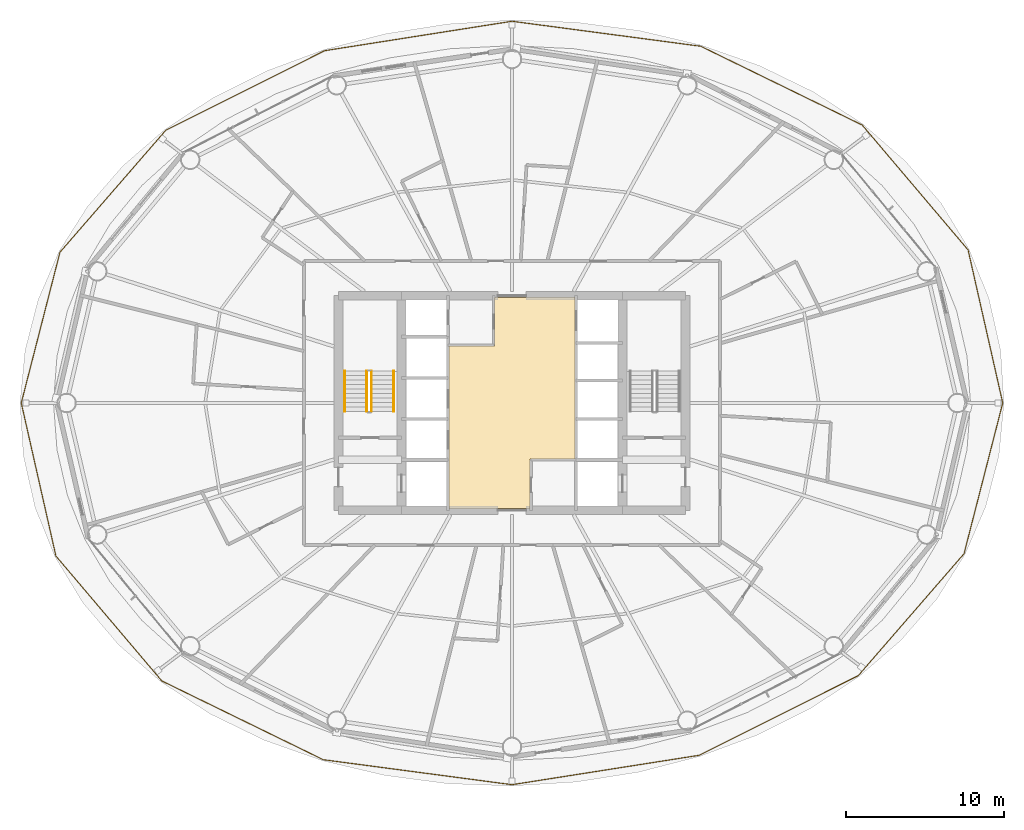
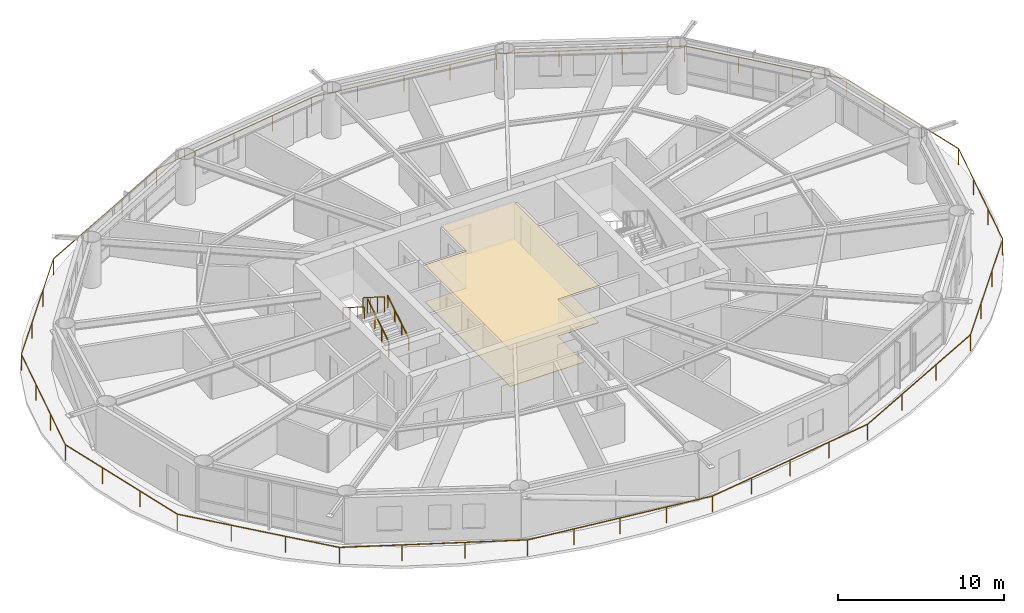
# One storey, part 23 of 24: 5 railings, 2 coverings.
"""IFC4 building model written with IfcOpenShell, lengths in metres."""

from ifc_helpers import new_model, si_unit, direction, frame, origin, origin_2d, place, context, subcontext, project, spatial, polyline, rectangle, outline, extrude, material, layer, layer_set, type_object, element, save


model = new_model("IFC4")

# Units and contexts
model_context = context("Model", 3, precision=1e-05, world=origin(), true_north=direction((0.0, 1.0)))
body_context = subcontext(model_context, "Body", "Model", "MODEL_VIEW")
ifc_project = project(units=[si_unit("LENGTHUNIT", "METRE"), si_unit("AREAUNIT", "SQUARE_METRE"), si_unit("VOLUMEUNIT", "CUBIC_METRE"), si_unit("PLANEANGLEUNIT", "RADIAN"), si_unit("MASSUNIT", "GRAM", prefix="KILO")], contexts=[model_context])

# Site, building, storey
site_placement = place(None, origin())
site = spatial("IfcSite", under=ifc_project, at=site_placement, CompositionType="ELEMENT")
building_placement = place(site_placement, origin())
building = spatial("IfcBuilding", under=site, at=building_placement, Name="Sarneth Arch Tower", CompositionType="ELEMENT")
storey_placement = place(building_placement, frame((0.0, 0.0, 102.0)))
storey = spatial("IfcBuildingStorey", under=building, at=storey_placement, Name="L25", CompositionType="ELEMENT", Elevation=102.0)

# Coverings
ifc_material_1 = material(Name="Perforated acoustic gypsum ceiling board")
ifc_layer_1 = layer(ifc_material_1, 0.02490234375)
ifc_layer_set_1 = layer_set([ifc_layer_1], Name="Perforated acoustic gypsum ceiling board")
covering_type_1 = type_object("IfcCoveringType", Name="COV-CEIL-GYP", PredefinedType="CEILING", material=ifc_layer_set_1)
covering_1_placement = place(storey_placement, frame((0.0, 0.0, 2.7099609375)))
element("IfcCovering", 1, at=covering_1_placement, inside=storey, type_object=covering_type_1, Name="L25 Lift lobby acoustic ceiling", PredefinedType="CEILING", context=body_context, shape_type="SweptSolid", body=[
    extrude(outline(polyline([(49.14990234375, 38.449951171875), (49.14990234375, 35.300048828125), (44.0, 35.300048828125), (44.0, 45.60009765625), (46.89990234375, 45.60009765625), (46.89990234375, 48.699951171875), (52.0, 48.699951171875), (52.0, 38.449951171875), (49.14990234375, 38.449951171875)])), origin(), (0.0, 0.0, 1.0), 0.030029296875),
])
ifc_material_2 = material(Name="Honed granite stone flooring", Category="masonry")
ifc_layer_2 = layer(ifc_material_2, 0.030029296875)
ifc_layer_set_2 = layer_set([ifc_layer_2], Name="Honed granite stone flooring")
covering_type_2 = type_object("IfcCoveringType", Name="COV-FLR-STONE", PredefinedType="FLOORING", material=ifc_layer_set_2)
covering_2_placement = place(storey_placement, origin())
element("IfcCovering", 2, at=covering_2_placement, inside=storey, type_object=covering_type_2, Name="L25 Lift lobby granite flooring", PredefinedType="FLOORING", context=body_context, shape_type="SweptSolid", body=[
    extrude(outline(polyline([(49.14990234375, 38.449951171875), (49.14990234375, 35.300048828125), (44.0, 35.300048828125), (44.0, 45.60009765625), (46.89990234375, 45.60009765625), (46.89990234375, 48.699951171875), (52.0, 48.699951171875), (52.0, 38.449951171875), (49.14990234375, 38.449951171875)])), origin(), (0.0, 0.0, 1.0), 0.030029296875),
])

# Railings
ifc_material_3 = material(Name="Laminated structural glass infill with Stainless Steel 316 top rail and posts", Category="steel")
railing_type_1 = type_object("IfcRailingType", Name="RAIL-BALC-1200", PredefinedType="BALUSTRADE", material=ifc_material_3)
railing_1_placement = place(storey_placement, frame((79.106689453125, 42.0, 0.0)))
element("IfcRailing", 3, at=railing_1_placement, inside=storey, type_object=railing_type_1, Name="L25 Helical balcony glass balustrade", PredefinedType="BALUSTRADE", context=body_context, shape_type="SweptSolid", body=[
    extrude(rectangle(XDim=0.048095703125, YDim=0.048095703125, at=origin_2d()), frame((0.0, 0.0, 1.17578125), z_axis=(-0.220798778177, 0.975319383359, 0.0), x_axis=(-0.975319383359, -0.220798778177, 0.0)), (0.0, 0.0, 1.0), 9.94580078125),
    extrude(rectangle(XDim=0.048095703125, YDim=0.048095703125, at=origin_2d()), frame((-2.196044921875, 9.700439453125, 1.17578125), z_axis=(-0.646640028894, 0.762795302182, 0.0), x_axis=(-0.762795302182, -0.646640028894, 0.0)), (0.0, 0.0, 1.0), 10.37890625),
    extrude(rectangle(XDim=0.048095703125, YDim=0.048095703125, at=origin_2d()), frame((-8.907470703125, 17.617431640625, 1.17578125), z_axis=(-0.898719817102, 0.438523306506, 0.0), x_axis=(-0.438523306506, -0.898719817102, 0.0)), (0.0, 0.0, 1.0), 11.388427734375),
    extrude(rectangle(XDim=0.048095703125, YDim=0.048095703125, at=origin_2d()), frame((-19.142578125, 22.611572265625, 1.17578125), z_axis=(-0.991344121309, 0.131289120443, 0.0), x_axis=(-0.131289120443, -0.991344121309, 0.0)), (0.0, 0.0, 1.0), 12.068603515625),
    extrude(rectangle(XDim=0.048095703125, YDim=0.048095703125, at=origin_2d()), frame((-31.106689453125, 24.196044921875, 1.17578125), z_axis=(-0.987873209701, -0.155262750055, 0.0), x_axis=(0.155262750055, -0.987873209701, 0.0)), (0.0, 0.0, 1.0), 12.021240234375),
    extrude(rectangle(XDim=0.048095703125, YDim=0.048095703125, at=origin_2d()), frame((-42.982177734375, 22.32958984375, 1.17578125), z_axis=(-0.894075847013, -0.447915594491, 0.0), x_axis=(0.447915594491, -0.894075847013, 0.0)), (0.0, 0.0, 1.0), 11.265869140625),
    extrude(rectangle(XDim=0.048095703125, YDim=0.048095703125, at=origin_2d()), frame((-53.0546875, 17.283447265625, 1.17578125), z_axis=(-0.655366531654, -0.755311001633, 0.0), x_axis=(0.755311001633, -0.655366531654, 0.0)), (0.0, 0.0, 1.0), 10.230224609375),
    extrude(rectangle(XDim=0.048095703125, YDim=0.048095703125, at=origin_2d()), frame((-59.75927734375, 9.556396484375, 1.17578125), z_axis=(-0.248731342356, -0.968572516299, 0.0), x_axis=(0.968572516299, -0.248731342356, 0.0)), (0.0, 0.0, 1.0), 9.866455078125),
    extrude(rectangle(XDim=0.048095703125, YDim=0.048095703125, at=origin_2d()), frame((-62.21337890625, 0.0, 1.17578125), z_axis=(0.220798778177, -0.975319383359, 0.0), x_axis=(0.975319383359, 0.220798778177, 0.0)), (0.0, 0.0, 1.0), 9.94580078125),
    extrude(rectangle(XDim=0.048095703125, YDim=0.048095703125, at=origin_2d()), frame((-60.017333984375, -9.700439453125, 1.17578125), z_axis=(0.646640028894, -0.762795302182, 0.0), x_axis=(0.762795302182, 0.646640028894, 0.0)), (0.0, 0.0, 1.0), 10.37890625),
    extrude(rectangle(XDim=0.048095703125, YDim=0.048095703125, at=origin_2d()), frame((-53.305908203125, -17.617431640625, 1.17578125), z_axis=(0.898719817102, -0.438523306506, 0.0), x_axis=(0.438523306506, 0.898719817102, 0.0)), (0.0, 0.0, 1.0), 11.388427734375),
    extrude(rectangle(XDim=0.048095703125, YDim=0.048095703125, at=origin_2d()), frame((-43.07080078125, -22.611572265625, 1.17578125), z_axis=(0.991344121309, -0.131289120443, 0.0), x_axis=(0.131289120443, 0.991344121309, 0.0)), (0.0, 0.0, 1.0), 12.068603515625),
    extrude(rectangle(XDim=0.048095703125, YDim=0.048095703125, at=origin_2d()), frame((-31.106689453125, -24.196044921875, 1.17578125), z_axis=(0.987873209701, 0.155262750055, 0.0), x_axis=(-0.155262750055, 0.987873209701, 0.0)), (0.0, 0.0, 1.0), 12.021240234375),
    extrude(rectangle(XDim=0.048095703125, YDim=0.048095703125, at=origin_2d()), frame((-19.231201171875, -22.32958984375, 1.17578125), z_axis=(0.894075847013, 0.447915594491, 0.0), x_axis=(-0.447915594491, 0.894075847013, 0.0)), (0.0, 0.0, 1.0), 11.265869140625),
    extrude(rectangle(XDim=0.048095703125, YDim=0.048095703125, at=origin_2d()), frame((-9.15869140625, -17.283447265625, 1.17578125), z_axis=(0.655366531654, 0.755311001633, 0.0), x_axis=(-0.755311001633, 0.655366531654, 0.0)), (0.0, 0.0, 1.0), 10.230224609375),
    extrude(rectangle(XDim=0.048095703125, YDim=0.048095703125, at=origin_2d()), frame((-2.4541015625, -9.556396484375, 1.17578125), z_axis=(0.248731342356, 0.968572516299, 0.0), x_axis=(-0.968572516299, 0.248731342356, 0.0)), (0.0, 0.0, 1.0), 9.866455078125),
    extrude(rectangle(XDim=0.0419921875, YDim=0.0419921875, at=origin_2d()), origin(), (0.0, 0.0, 1.0), 1.15185546875),
    extrude(rectangle(XDim=0.0419921875, YDim=0.0419921875, at=origin_2d()), frame((-0.73193359375, 3.2333984375, 0.0)), (0.0, 0.0, 1.0), 1.15185546875),
    extrude(rectangle(XDim=0.0419921875, YDim=0.0419921875, at=origin_2d()), frame((-1.464111328125, 6.467041015625, 0.0)), (0.0, 0.0, 1.0), 1.15185546875),
    extrude(rectangle(XDim=0.0419921875, YDim=0.0419921875, at=origin_2d()), frame((-2.196044921875, 9.700439453125, 0.0)), (0.0, 0.0, 1.0), 1.15185546875),
    extrude(rectangle(XDim=0.0419921875, YDim=0.0419921875, at=origin_2d()), frame((-4.43310546875, 12.33935546875, 0.0)), (0.0, 0.0, 1.0), 1.15185546875),
    extrude(rectangle(XDim=0.0419921875, YDim=0.0419921875, at=origin_2d()), frame((-6.67041015625, 14.978515625, 0.0)), (0.0, 0.0, 1.0), 1.15185546875),
    extrude(rectangle(XDim=0.0419921875, YDim=0.0419921875, at=origin_2d()), frame((-8.907470703125, 17.617431640625, 0.0)), (0.0, 0.0, 1.0), 1.15185546875),
    extrude(rectangle(XDim=0.0419921875, YDim=0.0419921875, at=origin_2d()), frame((-12.319091796875, 19.2822265625, 0.0)), (0.0, 0.0, 1.0), 1.15185546875),
    extrude(rectangle(XDim=0.0419921875, YDim=0.0419921875, at=origin_2d()), frame((-15.73095703125, 20.94677734375, 0.0)), (0.0, 0.0, 1.0), 1.15185546875),
    extrude(rectangle(XDim=0.0419921875, YDim=0.0419921875, at=origin_2d()), frame((-19.142578125, 22.611572265625, 0.0)), (0.0, 0.0, 1.0), 1.15185546875),
    extrude(rectangle(XDim=0.0419921875, YDim=0.0419921875, at=origin_2d()), frame((-22.133544921875, 23.0078125, 0.0)), (0.0, 0.0, 1.0), 1.15185546875),
    extrude(rectangle(XDim=0.0419921875, YDim=0.0419921875, at=origin_2d()), frame((-25.12451171875, 23.40380859375, 0.0)), (0.0, 0.0, 1.0), 1.15185546875),
    extrude(rectangle(XDim=0.0419921875, YDim=0.0419921875, at=origin_2d()), frame((-28.11572265625, 23.7998046875, 0.0)), (0.0, 0.0, 1.0), 1.15185546875),
    extrude(rectangle(XDim=0.0419921875, YDim=0.0419921875, at=origin_2d()), frame((-31.106689453125, 24.196044921875, 0.0)), (0.0, 0.0, 1.0), 1.15185546875),
    extrude(rectangle(XDim=0.0419921875, YDim=0.0419921875, at=origin_2d()), frame((-34.07568359375, 23.7294921875, 0.0)), (0.0, 0.0, 1.0), 1.15185546875),
    extrude(rectangle(XDim=0.0419921875, YDim=0.0419921875, at=origin_2d()), frame((-37.04443359375, 23.2626953125, 0.0)), (0.0, 0.0, 1.0), 1.15185546875),
    extrude(rectangle(XDim=0.0419921875, YDim=0.0419921875, at=origin_2d()), frame((-40.01318359375, 22.796142578125, 0.0)), (0.0, 0.0, 1.0), 1.15185546875),
    extrude(rectangle(XDim=0.0419921875, YDim=0.0419921875, at=origin_2d()), frame((-42.982177734375, 22.32958984375, 0.0)), (0.0, 0.0, 1.0), 1.15185546875),
    extrude(rectangle(XDim=0.0419921875, YDim=0.0419921875, at=origin_2d()), frame((-46.339599609375, 20.6474609375, 0.0)), (0.0, 0.0, 1.0), 1.15185546875),
    extrude(rectangle(XDim=0.0419921875, YDim=0.0419921875, at=origin_2d()), frame((-49.697265625, 18.965576171875, 0.0)), (0.0, 0.0, 1.0), 1.15185546875),
    extrude(rectangle(XDim=0.0419921875, YDim=0.0419921875, at=origin_2d()), frame((-53.0546875, 17.283447265625, 0.0)), (0.0, 0.0, 1.0), 1.15185546875),
    extrude(rectangle(XDim=0.0419921875, YDim=0.0419921875, at=origin_2d()), frame((-55.28955078125, 14.707763671875, 0.0)), (0.0, 0.0, 1.0), 1.15185546875),
    extrude(rectangle(XDim=0.0419921875, YDim=0.0419921875, at=origin_2d()), frame((-57.5244140625, 12.132080078125, 0.0)), (0.0, 0.0, 1.0), 1.15185546875),
    extrude(rectangle(XDim=0.0419921875, YDim=0.0419921875, at=origin_2d()), frame((-59.75927734375, 9.556396484375, 0.0)), (0.0, 0.0, 1.0), 1.15185546875),
    extrude(rectangle(XDim=0.0419921875, YDim=0.0419921875, at=origin_2d()), frame((-60.577392578125, 6.370849609375, 0.0)), (0.0, 0.0, 1.0), 1.15185546875),
    extrude(rectangle(XDim=0.0419921875, YDim=0.0419921875, at=origin_2d()), frame((-61.395263671875, 3.185546875, 0.0)), (0.0, 0.0, 1.0), 1.15185546875),
    extrude(rectangle(XDim=0.0419921875, YDim=0.0419921875, at=origin_2d()), frame((-62.21337890625, 0.0, 0.0)), (0.0, 0.0, 1.0), 1.15185546875),
    extrude(rectangle(XDim=0.0419921875, YDim=0.0419921875, at=origin_2d()), frame((-61.4814453125, -3.2333984375, 0.0)), (0.0, 0.0, 1.0), 1.15185546875),
    extrude(rectangle(XDim=0.0419921875, YDim=0.0419921875, at=origin_2d()), frame((-60.749267578125, -6.467041015625, 0.0)), (0.0, 0.0, 1.0), 1.15185546875),
    extrude(rectangle(XDim=0.0419921875, YDim=0.0419921875, at=origin_2d()), frame((-60.017333984375, -9.700439453125, 0.0)), (0.0, 0.0, 1.0), 1.15185546875),
    extrude(rectangle(XDim=0.0419921875, YDim=0.0419921875, at=origin_2d()), frame((-57.7802734375, -12.33935546875, 0.0)), (0.0, 0.0, 1.0), 1.15185546875),
    extrude(rectangle(XDim=0.0419921875, YDim=0.0419921875, at=origin_2d()), frame((-55.54296875, -14.978515625, 0.0)), (0.0, 0.0, 1.0), 1.15185546875),
    extrude(rectangle(XDim=0.0419921875, YDim=0.0419921875, at=origin_2d()), frame((-53.305908203125, -17.617431640625, 0.0)), (0.0, 0.0, 1.0), 1.15185546875),
    extrude(rectangle(XDim=0.0419921875, YDim=0.0419921875, at=origin_2d()), frame((-49.894287109375, -19.2822265625, 0.0)), (0.0, 0.0, 1.0), 1.15185546875),
    extrude(rectangle(XDim=0.0419921875, YDim=0.0419921875, at=origin_2d()), frame((-46.482421875, -20.94677734375, 0.0)), (0.0, 0.0, 1.0), 1.15185546875),
    extrude(rectangle(XDim=0.0419921875, YDim=0.0419921875, at=origin_2d()), frame((-43.07080078125, -22.611572265625, 0.0)), (0.0, 0.0, 1.0), 1.15185546875),
    extrude(rectangle(XDim=0.0419921875, YDim=0.0419921875, at=origin_2d()), frame((-40.079833984375, -23.0078125, 0.0)), (0.0, 0.0, 1.0), 1.15185546875),
    extrude(rectangle(XDim=0.0419921875, YDim=0.0419921875, at=origin_2d()), frame((-37.0888671875, -23.40380859375, 0.0)), (0.0, 0.0, 1.0), 1.15185546875),
    extrude(rectangle(XDim=0.0419921875, YDim=0.0419921875, at=origin_2d()), frame((-34.09765625, -23.7998046875, 0.0)), (0.0, 0.0, 1.0), 1.15185546875),
    extrude(rectangle(XDim=0.0419921875, YDim=0.0419921875, at=origin_2d()), frame((-31.106689453125, -24.196044921875, 0.0)), (0.0, 0.0, 1.0), 1.15185546875),
    extrude(rectangle(XDim=0.0419921875, YDim=0.0419921875, at=origin_2d()), frame((-28.1376953125, -23.7294921875, 0.0)), (0.0, 0.0, 1.0), 1.15185546875),
    extrude(rectangle(XDim=0.0419921875, YDim=0.0419921875, at=origin_2d()), frame((-25.1689453125, -23.2626953125, 0.0)), (0.0, 0.0, 1.0), 1.15185546875),
    extrude(rectangle(XDim=0.0419921875, YDim=0.0419921875, at=origin_2d()), frame((-22.2001953125, -22.796142578125, 0.0)), (0.0, 0.0, 1.0), 1.15185546875),
    extrude(rectangle(XDim=0.0419921875, YDim=0.0419921875, at=origin_2d()), frame((-19.231201171875, -22.32958984375, 0.0)), (0.0, 0.0, 1.0), 1.15185546875),
    extrude(rectangle(XDim=0.0419921875, YDim=0.0419921875, at=origin_2d()), frame((-15.873779296875, -20.6474609375, 0.0)), (0.0, 0.0, 1.0), 1.15185546875),
    extrude(rectangle(XDim=0.0419921875, YDim=0.0419921875, at=origin_2d()), frame((-12.51611328125, -18.965576171875, 0.0)), (0.0, 0.0, 1.0), 1.15185546875),
    extrude(rectangle(XDim=0.0419921875, YDim=0.0419921875, at=origin_2d()), frame((-9.15869140625, -17.283447265625, 0.0)), (0.0, 0.0, 1.0), 1.15185546875),
    extrude(rectangle(XDim=0.0419921875, YDim=0.0419921875, at=origin_2d()), frame((-6.923828125, -14.707763671875, 0.0)), (0.0, 0.0, 1.0), 1.15185546875),
    extrude(rectangle(XDim=0.0419921875, YDim=0.0419921875, at=origin_2d()), frame((-4.68896484375, -12.132080078125, 0.0)), (0.0, 0.0, 1.0), 1.15185546875),
    extrude(rectangle(XDim=0.0419921875, YDim=0.0419921875, at=origin_2d()), frame((-2.4541015625, -9.556396484375, 0.0)), (0.0, 0.0, 1.0), 1.15185546875),
    extrude(rectangle(XDim=0.0419921875, YDim=0.0419921875, at=origin_2d()), frame((-1.635986328125, -6.370849609375, 0.0)), (0.0, 0.0, 1.0), 1.15185546875),
    extrude(rectangle(XDim=0.0419921875, YDim=0.0419921875, at=origin_2d()), frame((-0.818115234375, -3.185546875, 0.0)), (0.0, 0.0, 1.0), 1.15185546875),
])
ifc_material_4 = material(Name="Brushed Stainless Steel 304 tubular handrail", Category="steel")
railing_type_2 = type_object("IfcRailingType", Name="RAIL-HANDRAIL-900", PredefinedType="HANDRAIL", material=ifc_material_4)
railing_2_placement = place(storey_placement, frame((40.5, 41.449951171875, 0.179931640625)))
element("IfcRailing", 4, at=railing_2_placement, inside=storey, type_object=railing_type_2, Name="L25 ST-1 stair handrail 1", PredefinedType="HANDRAIL", context=body_context, shape_type="SweptSolid", body=[
    extrude(rectangle(XDim=0.048095703125, YDim=0.048095703125, at=origin_2d()), frame((0.0, 0.0, 0.8759765625), z_axis=(0.0, 0.845465955043, 0.534029323973), x_axis=(-1.0, 0.0, 0.0)), (0.0, 0.0, 1.0), 3.03369140625),
    extrude(rectangle(XDim=0.0419921875, YDim=0.0419921875, at=origin_2d()), origin(), (0.0, 0.0, 1.0), 0.851806640625),
    extrude(rectangle(XDim=0.0419921875, YDim=0.0419921875, at=origin_2d()), frame((0.0, 0.85498046875, 0.5400390625)), (0.0, 0.0, 1.0), 0.851806640625),
    extrude(rectangle(XDim=0.0419921875, YDim=0.0419921875, at=origin_2d()), frame((0.0, 1.7099609375, 1.080078125)), (0.0, 0.0, 1.0), 0.851806640625),
    extrude(rectangle(XDim=0.0419921875, YDim=0.0419921875, at=origin_2d()), frame((0.0, 2.56494140625, 1.6201171875)), (0.0, 0.0, 1.0), 0.851806640625),
])
railing_3_placement = place(storey_placement, frame((37.39990234375, 44.014892578125, 1.97998046875)))
element("IfcRailing", 5, at=railing_3_placement, inside=storey, type_object=railing_type_2, Name="L25 ST-1 stair handrail 2", PredefinedType="HANDRAIL", context=body_context, shape_type="SweptSolid", body=[
    extrude(rectangle(XDim=0.048095703125, YDim=0.048095703125, at=origin_2d()), frame((0.0, 0.0, 0.8759765625), z_axis=(0.0, -0.845465955043, 0.534029323973), x_axis=(1.0, 0.0, 0.0)), (0.0, 0.0, 1.0), 3.03369140625),
    extrude(rectangle(XDim=0.0419921875, YDim=0.0419921875, at=origin_2d()), origin(), (0.0, 0.0, 1.0), 0.851806640625),
    extrude(rectangle(XDim=0.0419921875, YDim=0.0419921875, at=origin_2d()), frame((0.0, -0.85498046875, 0.5400390625)), (0.0, 0.0, 1.0), 0.851806640625),
    extrude(rectangle(XDim=0.0419921875, YDim=0.0419921875, at=origin_2d()), frame((0.0, -1.7099609375, 1.080078125)), (0.0, 0.0, 1.0), 0.851806640625),
    extrude(rectangle(XDim=0.0419921875, YDim=0.0419921875, at=origin_2d()), frame((0.0, -2.56494140625, 1.6201171875)), (0.0, 0.0, 1.0), 0.851806640625),
])
ifc_material_5 = material(Name="Painted Steel S275 stair well guard", Category="steel")
railing_type_3 = type_object("IfcRailingType", Name="RAIL-STAIR-GUARD", PredefinedType="GUARDRAIL", material=ifc_material_5)
railing_4_placement = place(storey_placement, frame((39.10009765625, 41.449951171875, 0.179931640625)))
element("IfcRailing", 6, at=railing_4_placement, inside=storey, type_object=railing_type_3, Name="L25 ST-1 stair guard 1", PredefinedType="GUARDRAIL", context=body_context, shape_type="SweptSolid", body=[
    extrude(rectangle(XDim=0.048095703125, YDim=0.048095703125, at=origin_2d()), frame((0.0, 0.0, 1.1259765625), z_axis=(0.0, 0.845465955043, 0.534029323973), x_axis=(-1.0, 0.0, 0.0)), (0.0, 0.0, 1.0), 3.03369140625),
    extrude(rectangle(XDim=0.0419921875, YDim=0.0419921875, at=origin_2d()), origin(), (0.0, 0.0, 1.0), 1.101806640625),
    extrude(rectangle(XDim=0.0419921875, YDim=0.0419921875, at=origin_2d()), frame((0.0, 0.85498046875, 0.5400390625)), (0.0, 0.0, 1.0), 1.101806640625),
    extrude(rectangle(XDim=0.0419921875, YDim=0.0419921875, at=origin_2d()), frame((0.0, 1.7099609375, 1.080078125)), (0.0, 0.0, 1.0), 1.101806640625),
    extrude(rectangle(XDim=0.0419921875, YDim=0.0419921875, at=origin_2d()), frame((0.0, 2.56494140625, 1.6201171875)), (0.0, 0.0, 1.0), 1.101806640625),
])
railing_5_placement = place(storey_placement, frame((38.800048828125, 44.014892578125, 1.97998046875)))
element("IfcRailing", 7, at=railing_5_placement, inside=storey, type_object=railing_type_3, Name="L25 ST-1 stair guard 3", PredefinedType="GUARDRAIL", context=body_context, shape_type="SweptSolid", body=[
    extrude(rectangle(XDim=0.048095703125, YDim=0.048095703125, at=origin_2d()), frame((0.0, 0.0, 1.1259765625), z_axis=(0.0, -0.845465955043, 0.534029323973), x_axis=(1.0, 0.0, 0.0)), (0.0, 0.0, 1.0), 3.03369140625),
    extrude(rectangle(XDim=0.0419921875, YDim=0.0419921875, at=origin_2d()), origin(), (0.0, 0.0, 1.0), 1.101806640625),
    extrude(rectangle(XDim=0.0419921875, YDim=0.0419921875, at=origin_2d()), frame((0.0, -0.85498046875, 0.5400390625)), (0.0, 0.0, 1.0), 1.101806640625),
    extrude(rectangle(XDim=0.0419921875, YDim=0.0419921875, at=origin_2d()), frame((0.0, -1.7099609375, 1.080078125)), (0.0, 0.0, 1.0), 1.101806640625),
    extrude(rectangle(XDim=0.0419921875, YDim=0.0419921875, at=origin_2d()), frame((0.0, -2.56494140625, 1.6201171875)), (0.0, 0.0, 1.0), 1.101806640625),
])

save(model, "model.ifc")
